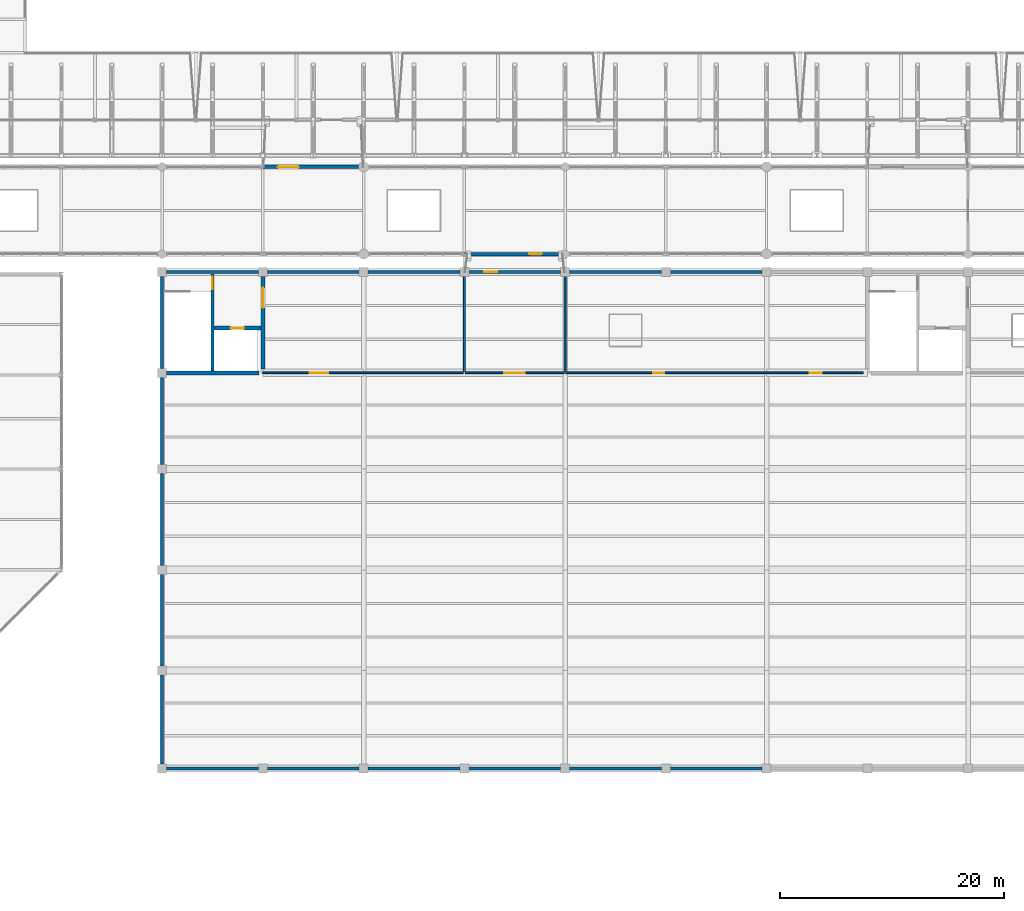
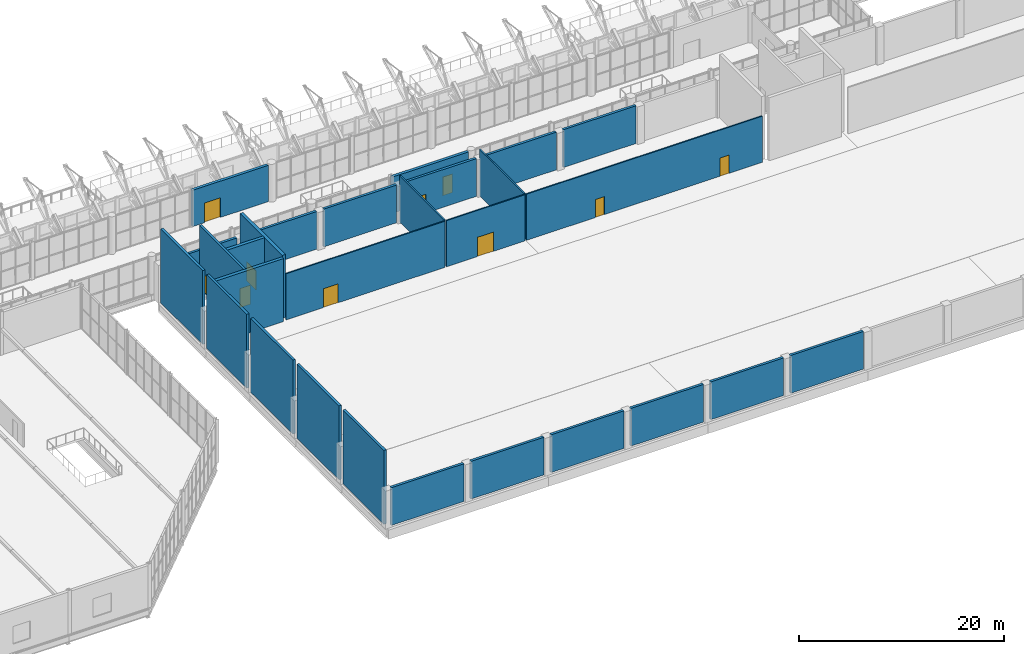
# One storey, part 113 of 134: 28 walls, 10 doors, 10 openings.
"""IFC4 building model written with IfcOpenShell, lengths in metres."""

from ifc_helpers import new_model, si_unit, direction, frame, frame_2d, origin, place, context, subcontext, project, spatial, rectangle, extrude, material, layer, layer_set, type_object, element, fill, save


model = new_model("IFC4")

# Units and contexts
model_context = context("Model", 3, precision=1e-05, world=origin(), true_north=direction((0.0, 1.0)))
body_context = subcontext(model_context, "Body", "Model", "MODEL_VIEW")
ifc_project = project(units=[si_unit("LENGTHUNIT", "METRE"), si_unit("AREAUNIT", "SQUARE_METRE"), si_unit("VOLUMEUNIT", "CUBIC_METRE"), si_unit("PLANEANGLEUNIT", "RADIAN"), si_unit("MASSUNIT", "GRAM", prefix="KILO")], contexts=[model_context])

# Site, building, storey
site_placement = place(None, origin())
site = spatial("IfcSite", under=ifc_project, at=site_placement, CompositionType="ELEMENT")
building_placement = place(site_placement, origin())
building = spatial("IfcBuilding", under=site, at=building_placement, Name="Cazmaro Siding Exhibition Halls", CompositionType="ELEMENT")
storey_placement = place(building_placement, frame((0.0, 0.0, 12.0)))
storey = spatial("IfcBuildingStorey", under=building, at=storey_placement, Name="L02", CompositionType="ELEMENT", Elevation=12.0)

# Wall, opening, door
ifc_material_1 = material(Name="Concrete f'c 45 MPa", Category="concrete")
ifc_layer_1 = layer(ifc_material_1, 0.320068359375)
ifc_layer_set_1 = layer_set([ifc_layer_1], Name="Concrete f'c 45 MPa")
wall_type_1 = type_object("IfcWallType", Name="EW-01", PredefinedType="STANDARD", material=ifc_layer_set_1)
wall_1_placement = place(storey_placement, frame((81.012939453125, 63.0, 0.0), z_axis=(0.0, 0.0, 1.0), x_axis=(1.0, 0.0, 0.0)))
wall_1 = element("IfcWall", 1, at=wall_1_placement, inside=storey, type_object=wall_type_1, Name="Concourse North Bridge Portal L02 EW-01 WL-E0175", PredefinedType="STANDARD", context=body_context, shape_type="SweptSolid", body=[
    extrude(rectangle(XDim=8.552001953125, YDim=0.320068359375, at=frame_2d((4.27587890625, 0.0))), origin(), (0.0, 0.0, 1.0), 4.324951171875),
])
opening_1_placement = place(wall_1_placement, frame((1.3369140625, 0.0, 0.0)))
opening_1 = element("IfcOpeningElement", 2, at=opening_1_placement, cuts=wall_1, Name="Opening D-E042", PredefinedType="OPENING", context=body_context, shape_type="SweptSolid", body=[
    extrude(rectangle(XDim=1.85009765625, YDim=2.35009765625, at=frame_2d((0.925048828125, 1.175048828125))), frame((0.0, 0.169921875, 0.0), z_axis=(0.0, -1.0, 0.0), x_axis=(1.0, 0.0, 0.0)), (0.0, 0.0, 1.0), 0.340087890625),
])
ifc_material_2 = material(Name="Anodized Bronze Glazed Entrance Door", Category="aluminium")
door_type_1 = type_object("IfcDoorType", Name="ED-03", OperationType="DOUBLE_DOOR_SINGLE_SWING", PredefinedType="DOOR", material=ifc_material_2)
door_1_placement = place(opening_1_placement, origin())
door_1 = element("IfcDoor", 3, at=door_1_placement, inside=storey, type_object=door_type_1, Name="Exterior door D-E042 (ED-03)", OperationType="DOUBLE_DOOR_SINGLE_SWING", OverallHeight=2.35009765625, OverallWidth=1.85009765625, PredefinedType="DOOR", context=body_context, shape_type="SweptSolid", body=[
    extrude(rectangle(XDim=1.85009765625, YDim=2.35009765625, at=frame_2d((0.925048828125, 1.175048828125))), frame((0.0, 0.02490234375, 0.0), z_axis=(0.0, -1.0, 0.0), x_axis=(1.0, 0.0, 0.0)), (0.0, 0.0, 1.0), 0.050048828125),
])
fill(opening_1, door_1)

wall_2_placement = place(storey_placement, frame((107.639892578125, 55.199951171875, 0.0), z_axis=(0.0, 0.0, 1.0), x_axis=(-1.0, 0.0, 0.0)))
wall_2 = element("IfcWall", 4, at=wall_2_placement, inside=storey, type_object=wall_type_1, Name="Concourse Bridge SB-03 Portal L02 EW-01 WL-E0178", PredefinedType="STANDARD", context=body_context, shape_type="SweptSolid", body=[
    extrude(rectangle(XDim=8.626953125, YDim=0.320068359375, at=frame_2d((4.3134765625, 0.0))), origin(), (0.0, 0.0, 1.0), 4.324951171875),
])
opening_2_placement = place(wall_2_placement, frame((1.719970703125, 0.0, 0.0)))
opening_2 = element("IfcOpeningElement", 5, at=opening_2_placement, cuts=wall_2, Name="Opening D-E045", PredefinedType="OPENING", context=body_context, shape_type="SweptSolid", body=[
    extrude(rectangle(XDim=1.1201171875, YDim=2.239990234375, at=frame_2d((0.56005859375, 1.1201171875))), frame((0.0, 0.169921875, 0.0), z_axis=(0.0, -1.0, 0.0), x_axis=(1.0, 0.0, 0.0)), (0.0, 0.0, 1.0), 0.340087890625),
])
ifc_material_3 = material(Name="Anodized Bronze Glazed Entrance Door", Category="aluminium")
door_type_2 = type_object("IfcDoorType", Name="ED-04", OperationType="NOTDEFINED", PredefinedType="DOOR", material=ifc_material_3)
door_2_placement = place(opening_2_placement, origin())
door_2 = element("IfcDoor", 6, at=door_2_placement, inside=storey, type_object=door_type_2, Name="Exterior door D-E045 (ED-04)", OperationType="SINGLE_SWING_LEFT", OverallHeight=2.239990234375, OverallWidth=1.1201171875, PredefinedType="DOOR", context=body_context, shape_type="SweptSolid", body=[
    extrude(rectangle(XDim=1.1201171875, YDim=2.239990234375, at=frame_2d((0.56005859375, 1.1201171875))), frame((0.0, 0.02490234375, 0.0), z_axis=(0.0, -1.0, 0.0), x_axis=(1.0, 0.0, 0.0)), (0.0, 0.0, 1.0), 0.050048828125),
])
fill(opening_2, door_2)

# Walls
ifc_material_4 = material(Name="Precast concrete f'c 40 MPa", Category="concrete")
ifc_layer_2 = layer(ifc_material_4, 0.280029296875)
ifc_layer_set_2 = layer_set([ifc_layer_2], Name="Precast concrete f'c 40 MPa")
wall_type_2 = type_object("IfcWallType", Name="EW-02", PredefinedType="STANDARD", material=ifc_layer_set_2)
for number, where, z_axis, x_axis, name in (
    (7, (80.60791015625, 9.25, 0.0), (0.0, 0.0, 1.0), (-1.0, 0.0, 0.0), "Hall B2 South Exhibition Wall EW-02 WL-E0038"),
    (8, (72.39208984375, 53.60009765625, 0.0), (0.0, 0.0, 1.0), (1.0, 0.0, 0.0), "Hall B2 North Exhibition Wall EW-02 WL-E0041"),
    (9, (89.60791015625, 9.25, 0.0), (0.0, 0.0, 1.0), (-1.0, 0.0, 0.0), "Hall B2 South Exhibition Wall EW-02 WL-E0044"),
    (10, (81.39208984375, 53.60009765625, 0.0), (0.0, 0.0, 1.0), (1.0, 0.0, 0.0), "Hall B2 North Exhibition Wall EW-02 WL-E0047"),
    (11, (98.60791015625, 9.25, 0.0), (0.0, 0.0, 1.0), (-1.0, 0.0, 0.0), "Hall B2 South Exhibition Wall EW-02 WL-E0050"),
    (12, (90.39208984375, 53.60009765625, 0.0), (0.0, 0.0, 1.0), (1.0, 0.0, 0.0), "Hall B2 North Exhibition Wall EW-02 WL-E0053"),
    (13, (107.60791015625, 9.25, 0.0), (0.0, 0.0, 1.0), (-1.0, 0.0, 0.0), "Hall B2 South Exhibition Wall EW-02 WL-E0056"),
):
    element("IfcWall", number, at=place(storey_placement, frame(where, z_axis=z_axis, x_axis=x_axis)), inside=storey, type_object=wall_type_2, Name=name, PredefinedType="STANDARD", context=body_context, shape_type="SweptSolid", body=[
        extrude(rectangle(XDim=8.2158203125, YDim=0.280029296875, at=frame_2d((4.10791015625, 0.0))), origin(), (0.0, 0.0, 1.0), 4.5),
    ])

# Wall, opening, door
wall_3_placement = place(storey_placement, frame((99.39208984375, 53.60009765625, 0.0), z_axis=(0.0, 0.0, 1.0), x_axis=(1.0, 0.0, 0.0)))
wall_3 = element("IfcWall", 14, at=wall_3_placement, inside=storey, type_object=wall_type_2, Name="Hall B2 North Exhibition Wall EW-02 WL-E0059", PredefinedType="STANDARD", context=body_context, shape_type="SweptSolid", body=[
    extrude(rectangle(XDim=8.2158203125, YDim=0.280029296875, at=frame_2d((4.10791015625, 0.0))), origin(), (0.0, 0.0, 1.0), 4.5),
])
opening_3_placement = place(wall_3_placement, frame((1.407958984375, 0.0, 0.0)))
opening_3 = element("IfcOpeningElement", 15, at=opening_3_placement, cuts=wall_3, Name="Opening D-E016", PredefinedType="OPENING", context=body_context, shape_type="SweptSolid", body=[
    extrude(rectangle(XDim=1.1201171875, YDim=2.239990234375, at=frame_2d((0.56005859375, 1.1201171875))), frame((0.0, 0.14990234375, 0.0), z_axis=(0.0, -1.0, 0.0), x_axis=(1.0, 0.0, 0.0)), (0.0, 0.0, 1.0), 0.300048828125),
])
door_3_placement = place(opening_3_placement, origin())
door_3 = element("IfcDoor", 16, at=door_3_placement, inside=storey, type_object=door_type_2, Name="Exterior door D-E016 (ED-04)", OperationType="SINGLE_SWING_RIGHT", OverallHeight=2.239990234375, OverallWidth=1.1201171875, PredefinedType="DOOR", context=body_context, shape_type="SweptSolid", body=[
    extrude(rectangle(XDim=1.1201171875, YDim=2.239990234375, at=frame_2d((0.56005859375, 1.1201171875))), frame((0.0, 0.02490234375, 0.0), z_axis=(0.0, -1.0, 0.0), x_axis=(1.0, 0.0, 0.0)), (0.0, 0.0, 1.0), 0.050048828125),
])
fill(opening_3, door_3)

# Walls
for number, where, z_axis, x_axis, name in (
    (17, (116.60791015625, 9.25, 0.0), (0.0, 0.0, 1.0), (-1.0, 0.0, 0.0), "Hall B2 South Exhibition Wall EW-02 WL-E0062"),
    (18, (108.39208984375, 53.60009765625, 0.0), (0.0, 0.0, 1.0), (1.0, 0.0, 0.0), "Hall B2 North Exhibition Wall EW-02 WL-E0065"),
    (19, (125.60791015625, 9.25, 0.0), (0.0, 0.0, 1.0), (-1.0, 0.0, 0.0), "Hall B2 South Exhibition Wall EW-02 WL-E0068"),
    (20, (117.39208984375, 53.60009765625, 0.0), (0.0, 0.0, 1.0), (1.0, 0.0, 0.0), "Hall B2 North Exhibition Wall EW-02 WL-E0071"),
):
    element("IfcWall", number, at=place(storey_placement, frame(where, z_axis=z_axis, x_axis=x_axis)), inside=storey, type_object=wall_type_2, Name=name, PredefinedType="STANDARD", context=body_context, shape_type="SweptSolid", body=[
        extrude(rectangle(XDim=8.2158203125, YDim=0.280029296875, at=frame_2d((4.10791015625, 0.0))), origin(), (0.0, 0.0, 1.0), 4.5),
    ])
wall_4_placement = place(storey_placement, frame((72.0, 9.64208984375, 0.0), z_axis=(0.0, 0.0, 1.0), x_axis=(0.0, 1.0, 0.0)))
element("IfcWall", 21, at=wall_4_placement, inside=storey, type_object=wall_type_2, Name="Hall B2 West Gable Wall EW-02 WL-E0128", PredefinedType="STANDARD", context=body_context, shape_type="SweptSolid", body=[
    extrude(rectangle(XDim=7.9658203125, YDim=0.280029296875, at=frame_2d((3.98291015625, 0.0))), origin(), (0.0, 0.0, 1.0), 8.800048828125),
])
for number, where, z_axis, x_axis, name in (
    (22, (72.0, 18.39208984375, 0.0), (0.0, 0.0, 1.0), (0.0, 1.0, 0.0), "Hall B2 West Gable Wall EW-02 WL-E0134"),
    (23, (72.0, 27.39208984375, 0.0), (0.0, 0.0, 1.0), (0.0, 1.0, 0.0), "Hall B2 West Gable Wall EW-02 WL-E0140"),
):
    element("IfcWall", number, at=place(storey_placement, frame(where, z_axis=z_axis, x_axis=x_axis)), inside=storey, type_object=wall_type_2, Name=name, PredefinedType="STANDARD", context=body_context, shape_type="SweptSolid", body=[
        extrude(rectangle(XDim=8.2158203125, YDim=0.280029296875, at=frame_2d((4.10791015625, 0.0))), origin(), (0.0, 0.0, 1.0), 8.800048828125),
    ])
wall_5_placement = place(storey_placement, frame((72.0, 36.39208984375, 0.0), z_axis=(0.0, 0.0, 1.0), x_axis=(0.0, 1.0, 0.0)))
element("IfcWall", 24, at=wall_5_placement, inside=storey, type_object=wall_type_2, Name="Hall B2 West Gable Wall EW-02 WL-E0146", PredefinedType="STANDARD", context=body_context, shape_type="SweptSolid", body=[
    extrude(rectangle(XDim=7.81591796875, YDim=0.280029296875, at=frame_2d((3.907958984375, 0.0))), origin(), (0.0, 0.0, 1.0), 8.800048828125),
])
wall_6_placement = place(storey_placement, frame((72.0, 44.991943359375, 0.0), z_axis=(0.0, 0.0, 1.0), x_axis=(0.0, 1.0, 0.0)))
element("IfcWall", 25, at=wall_6_placement, inside=storey, type_object=wall_type_2, Name="Hall B2 West Gable Wall EW-02 WL-E0152", PredefinedType="STANDARD", context=body_context, shape_type="SweptSolid", body=[
    extrude(rectangle(XDim=8.216064453125, YDim=0.280029296875, at=frame_2d((4.10791015625, 0.0))), origin(), (0.0, 0.0, 1.0), 8.800048828125),
])

# Wall, opening, door
ifc_material_5 = material(Name="Fire-Rated Gypsum Board on Cold-Formed Steel Studs", Category="steel")
ifc_layer_3 = layer(ifc_material_5, 0.14501953125)
ifc_layer_set_3 = layer_set([ifc_layer_3], Name="Fire-Rated Gypsum Board on Cold-Formed Steel Studs")
wall_type_3 = type_object("IfcWallType", Name="PW-01", PredefinedType="PARTITIONING", material=ifc_layer_set_3)
wall_7_placement = place(storey_placement, frame((81.0, 44.60009765625, 0.0), z_axis=(0.0, 0.0, 1.0), x_axis=(1.0, 0.0, 0.0)))
wall_7 = element("IfcWall", 26, at=wall_7_placement, inside=storey, type_object=wall_type_3, Name="Upper Hall B2 Service Partition PW-01 WL-I0332", PredefinedType="PARTITIONING", context=body_context, shape_type="SweptSolid", body=[
    extrude(rectangle(XDim=17.919921875, YDim=0.14501953125, at=frame_2d((8.9599609375, 0.0))), origin(), (0.0, 0.0, 1.0), 5.5),
])
opening_4_placement = place(wall_7_placement, frame((4.199951171875, 0.0, 0.0)))
opening_4 = element("IfcOpeningElement", 27, at=opening_4_placement, cuts=wall_7, Name="Opening D-I158", PredefinedType="OPENING", context=body_context, shape_type="SweptSolid", body=[
    extrude(rectangle(XDim=1.64990234375, YDim=2.25, at=frame_2d((0.824951171875, 1.125))), frame((0.0, 0.08251953125, 0.0), z_axis=(0.0, -1.0, 0.0), x_axis=(1.0, 0.0, 0.0)), (0.0, 0.0, 1.0), 0.1650390625),
])
ifc_material_6 = material(Name="Fire-Rated Painted Hollow Metal Door", Category="steel")
door_type_3 = type_object("IfcDoorType", Name="ID-05", OperationType="DOUBLE_DOOR_SINGLE_SWING", PredefinedType="DOOR", material=ifc_material_6)
door_4_placement = place(opening_4_placement, origin())
door_4 = element("IfcDoor", 28, at=door_4_placement, inside=storey, type_object=door_type_3, Name="Interior door D-I158 (ID-05)", OperationType="DOUBLE_DOOR_SINGLE_SWING", OverallHeight=2.25, OverallWidth=1.64990234375, PredefinedType="DOOR", context=body_context, shape_type="SweptSolid", body=[
    extrude(rectangle(XDim=1.64990234375, YDim=2.25, at=frame_2d((0.824951171875, 1.125))), frame((0.0, 0.02490234375, 0.0), z_axis=(0.0, -1.0, 0.0), x_axis=(1.0, 0.0, 0.0)), (0.0, 0.0, 1.0), 0.050048828125),
])
fill(opening_4, door_4)

wall_8_placement = place(storey_placement, frame((99.080078125, 44.60009765625, 0.0), z_axis=(0.0, 0.0, 1.0), x_axis=(1.0, 0.0, 0.0)))
wall_8 = element("IfcWall", 29, at=wall_8_placement, inside=storey, type_object=wall_type_3, Name="Upper Hall B2 Service Partition PW-01 WL-I0333", PredefinedType="PARTITIONING", context=body_context, shape_type="SweptSolid", body=[
    extrude(rectangle(XDim=8.83984375, YDim=0.14501953125, at=frame_2d((4.419921875, 0.0))), origin(), (0.0, 0.0, 1.0), 5.5),
])
opening_5_placement = place(wall_8_placement, frame((3.5, 0.0, 0.0)))
opening_5 = element("IfcOpeningElement", 30, at=opening_5_placement, cuts=wall_8, Name="Opening D-I159", PredefinedType="OPENING", context=body_context, shape_type="SweptSolid", body=[
    extrude(rectangle(XDim=1.800048828125, YDim=2.300048828125, at=frame_2d((0.89990234375, 1.14990234375))), frame((0.0, 0.08251953125, 0.0), z_axis=(0.0, -1.0, 0.0), x_axis=(1.0, 0.0, 0.0)), (0.0, 0.0, 1.0), 0.1650390625),
])
ifc_material_7 = material(Name="Fire-Rated Painted Hollow Metal Door", Category="steel")
door_type_4 = type_object("IfcDoorType", Name="ID-02", OperationType="DOUBLE_DOOR_SINGLE_SWING", PredefinedType="DOOR", material=ifc_material_7)
door_5_placement = place(opening_5_placement, origin())
door_5 = element("IfcDoor", 31, at=door_5_placement, inside=storey, type_object=door_type_4, Name="Interior door D-I159 (ID-02)", OperationType="DOUBLE_DOOR_SINGLE_SWING", OverallHeight=2.300048828125, OverallWidth=1.800048828125, PredefinedType="DOOR", context=body_context, shape_type="SweptSolid", body=[
    extrude(rectangle(XDim=1.800048828125, YDim=2.300048828125, at=frame_2d((0.89990234375, 1.14990234375))), frame((0.0, 0.02490234375, 0.0), z_axis=(0.0, -1.0, 0.0), x_axis=(1.0, 0.0, 0.0)), (0.0, 0.0, 1.0), 0.050048828125),
])
fill(opening_5, door_5)

# Wall, openings, doors
wall_9_placement = place(storey_placement, frame((108.080078125, 44.60009765625, 0.0), z_axis=(0.0, 0.0, 1.0), x_axis=(1.0, 0.0, 0.0)))
wall_9 = element("IfcWall", 32, at=wall_9_placement, inside=storey, type_object=wall_type_3, Name="Upper Hall B2 Service Partition PW-01 WL-I0334", PredefinedType="PARTITIONING", context=body_context, shape_type="SweptSolid", body=[
    extrude(rectangle(XDim=26.574951171875, YDim=0.14501953125, at=frame_2d((13.28759765625, 0.0))), origin(), (0.0, 0.0, 1.0), 5.5),
])
opening_6_placement = place(wall_9_placement, frame((7.800048828125, 0.0, 0.0)))
opening_6 = element("IfcOpeningElement", 33, at=opening_6_placement, cuts=wall_9, Name="Opening D-I160", PredefinedType="OPENING", context=body_context, shape_type="SweptSolid", body=[
    extrude(rectangle(XDim=0.97998046875, YDim=2.14990234375, at=frame_2d((0.489990234375, 1.074951171875))), frame((0.0, 0.08251953125, 0.0), z_axis=(0.0, -1.0, 0.0), x_axis=(1.0, 0.0, 0.0)), (0.0, 0.0, 1.0), 0.1650390625),
])
opening_7_placement = place(wall_9_placement, frame((21.800048828125, 0.0, 0.0)))
opening_7 = element("IfcOpeningElement", 34, at=opening_7_placement, cuts=wall_9, Name="Opening D-I161", PredefinedType="OPENING", context=body_context, shape_type="SweptSolid", body=[
    extrude(rectangle(XDim=1.050048828125, YDim=2.179931640625, at=frame_2d((0.52490234375, 1.08984375))), frame((0.0, 0.08251953125, 0.0), z_axis=(0.0, -1.0, 0.0), x_axis=(1.0, 0.0, 0.0)), (0.0, 0.0, 1.0), 0.1650390625),
])
ifc_material_8 = material(Name="Fire-Rated Painted Hollow Metal Door", Category="steel")
door_type_5 = type_object("IfcDoorType", Name="ID-03", OperationType="NOTDEFINED", PredefinedType="DOOR", material=ifc_material_8)
door_6_placement = place(opening_6_placement, origin())
door_6 = element("IfcDoor", 35, at=door_6_placement, inside=storey, type_object=door_type_5, Name="Interior door D-I160 (ID-03)", OperationType="SINGLE_SWING_RIGHT", OverallHeight=2.14990234375, OverallWidth=0.97998046875, PredefinedType="DOOR", context=body_context, shape_type="SweptSolid", body=[
    extrude(rectangle(XDim=0.97998046875, YDim=2.14990234375, at=frame_2d((0.489990234375, 1.074951171875))), frame((0.0, 0.02490234375, 0.0), z_axis=(0.0, -1.0, 0.0), x_axis=(1.0, 0.0, 0.0)), (0.0, 0.0, 1.0), 0.050048828125),
])
fill(opening_6, door_6)
ifc_material_9 = material(Name="Fire-Rated Painted Hollow Metal Door", Category="steel")
door_type_6 = type_object("IfcDoorType", Name="ID-06", OperationType="NOTDEFINED", PredefinedType="DOOR", material=ifc_material_9)
door_7_placement = place(opening_7_placement, origin())
door_7 = element("IfcDoor", 36, at=door_7_placement, inside=storey, type_object=door_type_6, Name="Interior door D-I161 (ID-06)", OperationType="SINGLE_SWING_LEFT", OverallHeight=2.179931640625, OverallWidth=1.050048828125, PredefinedType="DOOR", context=body_context, shape_type="SweptSolid", body=[
    extrude(rectangle(XDim=1.050048828125, YDim=2.179931640625, at=frame_2d((0.52490234375, 1.08984375))), frame((0.0, 0.02490234375, 0.0), z_axis=(0.0, -1.0, 0.0), x_axis=(1.0, 0.0, 0.0)), (0.0, 0.0, 1.0), 0.050048828125),
])
fill(opening_7, door_7)

# Walls
ifc_material_10 = material(Name="Moisture-Resistant Gypsum Board on Acoustic Steel Studs", Category="steel")
ifc_layer_4 = layer(ifc_material_10, 0.1650390625)
ifc_layer_set_4 = layer_set([ifc_layer_4], Name="Moisture-Resistant Gypsum Board on Acoustic Steel Studs")
wall_type_4 = type_object("IfcWallType", Name="PW-02", PredefinedType="PARTITIONING", material=ifc_layer_set_4)
for number, where, z_axis, x_axis, name in (
    (37, (99.0, 44.719970703125, 0.0), (0.0, 0.0, 1.0), (0.0, 1.0, 0.0), "Upper Hall B2 Bridge Foyer Divider PW-02 WL-I0336"),
    (38, (108.0, 44.719970703125, 0.0), (0.0, 0.0, 1.0), (0.0, 1.0, 0.0), "Upper Hall B2 Bridge Foyer Divider PW-02 WL-I0337"),
):
    element("IfcWall", number, at=place(storey_placement, frame(where, z_axis=z_axis, x_axis=x_axis)), inside=storey, type_object=wall_type_4, Name=name, PredefinedType="PARTITIONING", context=body_context, shape_type="SweptSolid", body=[
        extrude(rectangle(XDim=8.72998046875, YDim=0.1650390625, at=frame_2d((4.364990234375, 0.0))), origin(), (0.0, 0.0, 1.0), 5.5),
    ])

# Wall, opening, door
ifc_material_11 = material(Name="Concrete f'c 50 MPa", Category="concrete")
ifc_layer_5 = layer(ifc_material_11, 0.360107421875)
ifc_layer_set_5 = layer_set([ifc_layer_5], Name="Concrete f'c 50 MPa")
wall_type_5 = type_object("IfcWallType", Name="SW-01", PredefinedType="SHEAR", material=ifc_layer_set_5)
wall_10_placement = place(storey_placement, frame((81.0, 44.945068359375, 0.0), z_axis=(0.0, 0.0, 1.0), x_axis=(0.0, 1.0, 0.0)))
wall_10 = element("IfcWall", 39, at=wall_10_placement, inside=storey, type_object=wall_type_5, Name="Core C3 East Shear Wall SW-01 WL-I0033", PredefinedType="SHEAR", context=body_context, shape_type="SweptSolid", body=[
    extrude(rectangle(XDim=8.260009765625, YDim=0.360107421875, at=frame_2d((4.1298828125, 0.0))), origin(), (0.0, 0.0, 1.0), 7.5),
])
opening_8_placement = place(wall_10_placement, frame((5.455078125, 0.0, 0.0)))
opening_8 = element("IfcOpeningElement", 40, at=opening_8_placement, cuts=wall_10, Name="Opening D-I018", PredefinedType="OPENING", context=body_context, shape_type="SweptSolid", body=[
    extrude(rectangle(XDim=1.800048828125, YDim=2.300048828125, at=frame_2d((0.89990234375, 1.14990234375))), frame((0.0, 0.18994140625, 0.0), z_axis=(0.0, -1.0, 0.0), x_axis=(1.0, 0.0, 0.0)), (0.0, 0.0, 1.0), 0.380126953125),
])
door_8_placement = place(opening_8_placement, origin())
door_8 = element("IfcDoor", 41, at=door_8_placement, inside=storey, type_object=door_type_4, Name="Interior door D-I018 (ID-02)", OperationType="DOUBLE_DOOR_SINGLE_SWING", OverallHeight=2.300048828125, OverallWidth=1.800048828125, PredefinedType="DOOR", context=body_context, shape_type="SweptSolid", body=[
    extrude(rectangle(XDim=1.800048828125, YDim=2.300048828125, at=frame_2d((0.89990234375, 1.14990234375))), frame((0.0, 0.02490234375, 0.0), z_axis=(0.0, -1.0, 0.0), x_axis=(1.0, 0.0, 0.0)), (0.0, 0.0, 1.0), 0.050048828125),
])
fill(opening_8, door_8)

# Wall
wall_11_placement = place(storey_placement, frame((72.39501953125, 44.60009765625, 0.0), z_axis=(0.0, 0.0, 1.0), x_axis=(1.0, 0.0, 0.0)))
element("IfcWall", 42, at=wall_11_placement, inside=storey, type_object=wall_type_5, Name="Core C3 South Shear Wall SW-01 WL-I0034", PredefinedType="SHEAR", context=body_context, shape_type="SweptSolid", body=[
    extrude(rectangle(XDim=8.260009765625, YDim=0.360107421875, at=frame_2d((4.1298828125, 0.0))), origin(), (0.0, 0.0, 1.0), 7.5),
])

# Wall, opening, door
wall_12_placement = place(storey_placement, frame((76.614990234375, 48.60009765625, 0.0), z_axis=(0.0, 0.0, 1.0), x_axis=(1.0, 0.0, 0.0)))
wall_12 = element("IfcWall", 43, at=wall_12_placement, inside=storey, type_object=wall_type_5, Name="Core C3 Lift Shaft Wall SW-01 WL-I0036", PredefinedType="SHEAR", context=body_context, shape_type="SweptSolid", body=[
    extrude(rectangle(XDim=4.219970703125, YDim=0.360107421875, at=frame_2d((2.10986328125, 0.0))), origin(), (0.0, 0.0, 1.0), 7.5),
])
opening_9_placement = place(wall_12_placement, frame((1.510009765625, 0.0, 0.0)))
opening_9 = element("IfcOpeningElement", 44, at=opening_9_placement, cuts=wall_12, Name="Opening LD-009", PredefinedType="OPENING", context=body_context, shape_type="SweptSolid", body=[
    extrude(rectangle(XDim=1.199951171875, YDim=2.300048828125, at=frame_2d((0.60009765625, 1.14990234375))), frame((0.0, 0.18994140625, 0.0), z_axis=(0.0, -1.0, 0.0), x_axis=(1.0, 0.0, 0.0)), (0.0, 0.0, 1.0), 0.380126953125),
])
ifc_material_12 = material(Name="Stainless Steel Elevator Landing Door", Category="steel")
door_type_7 = type_object("IfcDoorType", Name="LD-01", OperationType="SLIDING_TO_LEFT", PredefinedType="DOOR", material=ifc_material_12)
door_9_placement = place(opening_9_placement, origin())
door_9 = element("IfcDoor", 45, at=door_9_placement, inside=storey, type_object=door_type_7, Name="Interior door LD-009 (LD-01)", OperationType="SLIDING_TO_LEFT", OverallHeight=2.300048828125, OverallWidth=1.199951171875, PredefinedType="DOOR", context=body_context, shape_type="SweptSolid", body=[
    extrude(rectangle(XDim=1.199951171875, YDim=2.300048828125, at=frame_2d((0.60009765625, 1.14990234375))), frame((0.0, 0.02490234375, 0.0), z_axis=(0.0, -1.0, 0.0), x_axis=(1.0, 0.0, 0.0)), (0.0, 0.0, 1.0), 0.050048828125),
])
fill(opening_9, door_9)

ifc_material_13 = material(Name="Concrete f'c 50 MPa", Category="concrete")
ifc_layer_6 = layer(ifc_material_13, 0.25)
ifc_layer_set_6 = layer_set([ifc_layer_6], Name="Concrete f'c 50 MPa")
wall_type_6 = type_object("IfcWallType", Name="SW-02", PredefinedType="SHEAR", material=ifc_layer_set_6)
wall_13_placement = place(storey_placement, frame((76.5, 44.764892578125, 0.0), z_axis=(0.0, 0.0, 1.0), x_axis=(0.0, 1.0, 0.0)))
wall_13 = element("IfcWall", 46, at=wall_13_placement, inside=storey, type_object=wall_type_6, Name="Core C3 Stair-Lobby Divider SW-02 WL-I0035", PredefinedType="SHEAR", context=body_context, shape_type="SweptSolid", body=[
    extrude(rectangle(XDim=8.670166015625, YDim=0.25, at=frame_2d((4.3349609375, 0.0))), origin(), (0.0, 0.0, 1.0), 7.5),
])
opening_10_placement = place(wall_13_placement, frame((7.320068359375, 0.0, 0.0)))
opening_10 = element("IfcOpeningElement", 47, at=opening_10_placement, cuts=wall_13, Name="Opening D-I017", PredefinedType="OPENING", context=body_context, shape_type="SweptSolid", body=[
    extrude(rectangle(XDim=1.10009765625, YDim=2.199951171875, at=frame_2d((0.550048828125, 1.10009765625))), frame((0.0, 0.135009765625, 0.0), z_axis=(0.0, -1.0, 0.0), x_axis=(1.0, 0.0, 0.0)), (0.0, 0.0, 1.0), 0.27001953125),
])
ifc_material_14 = material(Name="Fire-Rated Painted Hollow Metal Door", Category="steel")
door_type_8 = type_object("IfcDoorType", Name="ID-01", OperationType="NOTDEFINED", PredefinedType="DOOR", material=ifc_material_14)
door_10_placement = place(opening_10_placement, origin())
door_10 = element("IfcDoor", 48, at=door_10_placement, inside=storey, type_object=door_type_8, Name="Interior door D-I017 (ID-01)", OperationType="SINGLE_SWING_RIGHT", OverallHeight=2.199951171875, OverallWidth=1.10009765625, PredefinedType="DOOR", context=body_context, shape_type="SweptSolid", body=[
    extrude(rectangle(XDim=1.10009765625, YDim=2.199951171875, at=frame_2d((0.550048828125, 1.10009765625))), frame((0.0, 0.02490234375, 0.0), z_axis=(0.0, -1.0, 0.0), x_axis=(1.0, 0.0, 0.0)), (0.0, 0.0, 1.0), 0.050048828125),
])
fill(opening_10, door_10)

save(model, "model.ifc")
